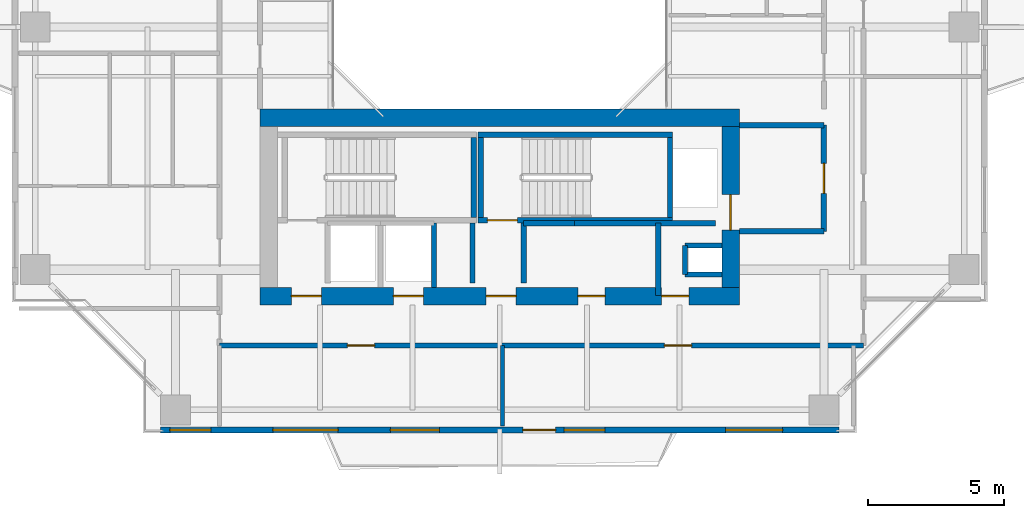
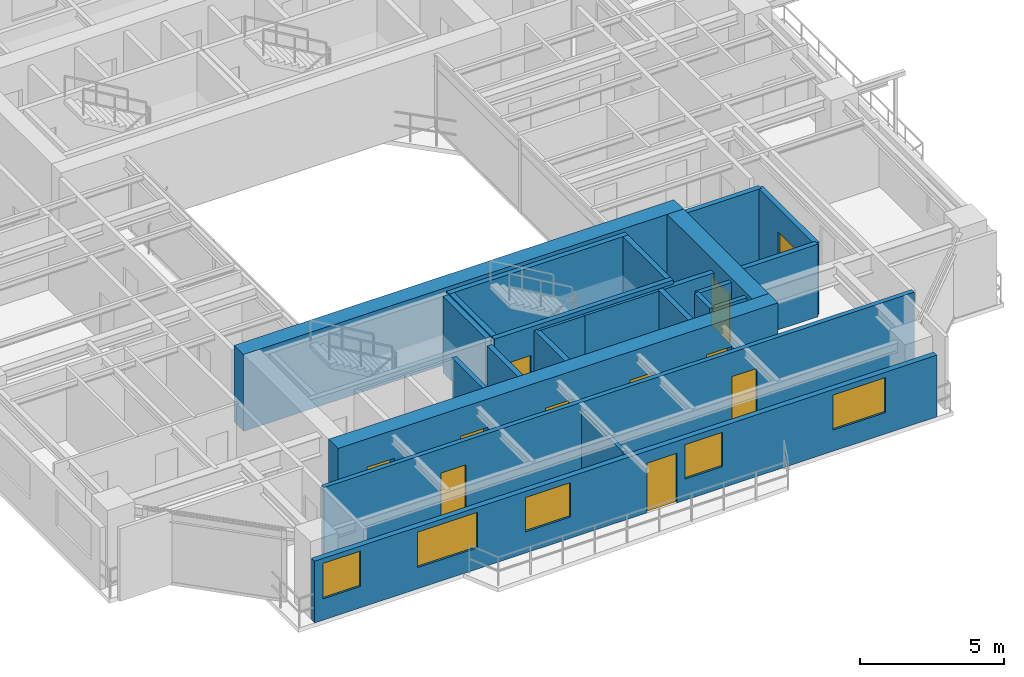
# One storey, part 10 of 17: 23 walls, 11 doors, 5 windows, 16 openings.
"""IFC4 building model written with IfcOpenShell, lengths in metres."""

from ifc_helpers import new_model, si_unit, direction, frame, frame_2d, origin, place, context, subcontext, project, spatial, rectangle, extrude, source, transform, mapped, material, layer, layer_set, type_object, element, fill, save


model = new_model("IFC4")

# Units and contexts
model_context = context("Model", 3, precision=1e-05, world=origin(), true_north=direction((0.0, 1.0)))
body_context = subcontext(model_context, "Body", "Model", "MODEL_VIEW")
ifc_project = project(units=[si_unit("LENGTHUNIT", "METRE"), si_unit("AREAUNIT", "SQUARE_METRE"), si_unit("VOLUMEUNIT", "CUBIC_METRE"), si_unit("PLANEANGLEUNIT", "RADIAN"), si_unit("MASSUNIT", "GRAM", prefix="KILO"), si_unit("THERMODYNAMICTEMPERATUREUNIT", "KELVIN"), si_unit("POWERUNIT", "WATT")], contexts=[model_context])

# Site, building, storey
site_placement = place(None, origin())
site = spatial("IfcSite", under=ifc_project, at=site_placement, CompositionType="ELEMENT")
building_placement = place(site_placement, origin())
building = spatial("IfcBuilding", under=site, at=building_placement, Name="Qiaomeng Ring Towers", CompositionType="ELEMENT")
storey_placement = place(building_placement, frame((0.0, 0.0, 126.25)))
storey = spatial("IfcBuildingStorey", under=building, at=storey_placement, Name="L36", CompositionType="ELEMENT", Elevation=126.25)

# Wall, openings, windows, door
ifc_material_1 = material(Name="Precast concrete C40", Category="concrete")
ifc_layer_1 = layer(ifc_material_1, 0.219970703125, Name="Precast concrete C40")
ifc_layer_set_1 = layer_set([ifc_layer_1], Name="Precast concrete C40")
wall_type_1 = type_object("IfcWallType", Name="ARC-WL-EW2", PredefinedType="STANDARD", material=ifc_layer_set_1)
wall_1_placement = place(storey_placement, frame((6.550048828125, 5.2099609375, 0.0), z_axis=(0.0, 0.0, 1.0), x_axis=(1.0, 0.0, 0.0)))
wall_1 = element("IfcWall", 1, at=wall_1_placement, inside=storey, type_object=wall_type_1, Name="L36 Tower 1 S Exterior Wall", PredefinedType="STANDARD", context=body_context, shape_type="SweptSolid", body=[
    extrude(rectangle(XDim=24.89990234375, YDim=0.219970703125, at=frame_2d((12.449951171875, 0.0))), origin(), (0.0, 0.0, 1.0), 2.610107421875),
])
opening_1_placement = place(wall_1_placement, frame((13.300048828125, 0.0, 0.0)))
opening_1 = element("IfcOpeningElement", 2, at=opening_1_placement, cuts=wall_1, Name="Opening BD1", PredefinedType="OPENING", context=body_context, shape_type="SweptSolid", body=[
    extrude(rectangle(XDim=1.199951171875, YDim=2.10009765625, at=frame_2d((0.60009765625, 1.050048828125))), frame((0.0, 0.119873046875, 0.0), z_axis=(0.0, -1.0, 0.0), x_axis=(1.0, 0.0, 0.0)), (0.0, 0.0, 1.0), 0.239990234375),
])
opening_2_placement = place(wall_1_placement, frame((0.342529296875, 0.0, 0.89990234375)))
opening_2 = element("IfcOpeningElement", 3, at=opening_2_placement, cuts=wall_1, Name="Opening WN2", PredefinedType="OPENING", context=body_context, shape_type="SweptSolid", body=[
    extrude(rectangle(XDim=1.5, YDim=1.5, at=frame_2d((0.75, 0.75))), frame((0.0, 0.119873046875, 0.0), z_axis=(0.0, -1.0, 0.0), x_axis=(1.0, 0.0, 0.0)), (0.0, 0.0, 1.0), 0.239990234375),
])
opening_3_placement = place(wall_1_placement, frame((8.43798828125, 0.0, 0.89990234375)))
opening_3 = element("IfcOpeningElement", 4, at=opening_3_placement, cuts=wall_1, Name="Opening WN1", PredefinedType="OPENING", context=body_context, shape_type="SweptSolid", body=[
    extrude(rectangle(XDim=1.800048828125, YDim=1.449951171875, at=frame_2d((0.89990234375, 0.72509765625))), frame((0.0, 0.119873046875, 0.0), z_axis=(0.0, -1.0, 0.0), x_axis=(1.0, 0.0, 0.0)), (0.0, 0.0, 1.0), 0.239990234375),
])
opening_4_placement = place(wall_1_placement, frame((14.81298828125, 0.0, 0.89990234375)))
opening_4 = element("IfcOpeningElement", 5, at=opening_4_placement, cuts=wall_1, Name="Opening WN2", PredefinedType="OPENING", context=body_context, shape_type="SweptSolid", body=[
    extrude(rectangle(XDim=1.5, YDim=1.449951171875, at=frame_2d((0.75, 0.72509765625))), frame((0.0, 0.119873046875, 0.0), z_axis=(0.0, -1.0, 0.0), x_axis=(1.0, 0.0, 0.0)), (0.0, 0.0, 1.0), 0.239990234375),
])
opening_5_placement = place(wall_1_placement, frame((20.738037109375, 0.0, 0.89990234375)))
opening_5 = element("IfcOpeningElement", 6, at=opening_5_placement, cuts=wall_1, Name="Opening WN4", PredefinedType="OPENING", context=body_context, shape_type="SweptSolid", body=[
    extrude(rectangle(XDim=2.10009765625, YDim=1.47998046875, at=frame_2d((1.050048828125, 0.739990234375))), frame((0.0, 0.119873046875, 0.0), z_axis=(0.0, -1.0, 0.0), x_axis=(1.0, 0.0, 0.0)), (0.0, 0.0, 1.0), 0.239990234375),
])
opening_6_placement = place(wall_1_placement, frame((4.12158203125, 0.0, 0.89990234375)))
opening_6 = element("IfcOpeningElement", 7, at=opening_6_placement, cuts=wall_1, Name="Opening WN6", PredefinedType="OPENING", context=body_context, shape_type="SweptSolid", body=[
    extrude(rectangle(XDim=2.39990234375, YDim=1.5, at=frame_2d((1.199951171875, 0.75))), frame((0.0, 0.119873046875, 0.0), z_axis=(0.0, -1.0, 0.0), x_axis=(1.0, 0.0, 0.0)), (0.0, 0.0, 1.0), 0.239990234375),
])
ifc_material_2 = material(Name="Low-E dark-grey laminated double glazing", Category="glass")
window_type_1 = type_object("IfcWindowType", Name="ARC-WN-2", PartitioningType="DOUBLE_PANEL_VERTICAL", PredefinedType="WINDOW", material=ifc_material_2)
shared_shape_1 = source(origin(), body_context, "Body", "SweptSolid", [
    extrude(rectangle(XDim=1.5, YDim=1.449951171875, at=frame_2d((0.75, 0.72509765625))), frame((0.0, 0.030029296875, 0.0), z_axis=(0.0, -1.0, 0.0), x_axis=(1.0, 0.0, 0.0)), (0.0, 0.0, 1.0), 0.06005859375),
])
window_1_placement = place(opening_4_placement, origin())
window_1 = element("IfcWindow", 8, at=window_1_placement, inside=storey, type_object=window_type_1, Name="L36 Exterior Window WN2", OverallHeight=1.449951171875, OverallWidth=1.5, PartitioningType="DOUBLE_PANEL_VERTICAL", PredefinedType="WINDOW", context=body_context, shape_type="MappedRepresentation", body=[
    mapped(shared_shape_1, transform((0.0, 0.0, 0.0), x_axis=(1.0, 0.0, 0.0), y_axis=(0.0, 1.0, 0.0), z_axis=(0.0, 0.0, 1.0), scale=1.0)),
])
fill(opening_4, window_1)
window_type_2 = type_object("IfcWindowType", Name="ARC-WN-4", PartitioningType="TRIPLE_PANEL_VERTICAL", PredefinedType="WINDOW", material=ifc_material_2)
shared_shape_2 = source(origin(), body_context, "Body", "SweptSolid", [
    extrude(rectangle(XDim=2.10009765625, YDim=1.47998046875, at=frame_2d((1.050048828125, 0.739990234375))), frame((0.0, 0.030029296875, 0.0), z_axis=(0.0, -1.0, 0.0), x_axis=(1.0, 0.0, 0.0)), (0.0, 0.0, 1.0), 0.06005859375),
])
window_2_placement = place(opening_5_placement, origin())
window_2 = element("IfcWindow", 9, at=window_2_placement, inside=storey, type_object=window_type_2, Name="L36 Exterior Window WN4", OverallHeight=1.47998046875, OverallWidth=2.10009765625, PartitioningType="TRIPLE_PANEL_VERTICAL", PredefinedType="WINDOW", context=body_context, shape_type="MappedRepresentation", body=[
    mapped(shared_shape_2, transform((0.0, 0.0, 0.0), x_axis=(1.0, 0.0, 0.0), y_axis=(0.0, 1.0, 0.0), z_axis=(0.0, 0.0, 1.0), scale=1.0)),
])
fill(opening_5, window_2)
window_type_3 = type_object("IfcWindowType", Name="ARC-WN-1", PartitioningType="DOUBLE_PANEL_VERTICAL", PredefinedType="WINDOW", material=ifc_material_2)
shared_shape_3 = source(origin(), body_context, "Body", "SweptSolid", [
    extrude(rectangle(XDim=1.800048828125, YDim=1.449951171875, at=frame_2d((0.89990234375, 0.72509765625))), frame((0.0, 0.030029296875, 0.0), z_axis=(0.0, -1.0, 0.0), x_axis=(1.0, 0.0, 0.0)), (0.0, 0.0, 1.0), 0.06005859375),
])
window_3_placement = place(opening_3_placement, origin())
window_3 = element("IfcWindow", 10, at=window_3_placement, inside=storey, type_object=window_type_3, Name="L36 Exterior Window WN1", OverallHeight=1.449951171875, OverallWidth=1.800048828125, PartitioningType="DOUBLE_PANEL_VERTICAL", PredefinedType="WINDOW", context=body_context, shape_type="MappedRepresentation", body=[
    mapped(shared_shape_3, transform((0.0, 0.0, 0.0), x_axis=(1.0, 0.0, 0.0), y_axis=(0.0, 1.0, 0.0), z_axis=(0.0, 0.0, 1.0), scale=1.0)),
])
fill(opening_3, window_3)
door_type_1 = type_object("IfcDoorType", Name="ARC-DR-BD1", OperationType="NOTDEFINED", PredefinedType="DOOR", material=ifc_material_2)
shared_shape_4 = source(origin(), body_context, "Body", "SweptSolid", [
    extrude(rectangle(XDim=1.199951171875, YDim=2.10009765625, at=frame_2d((0.60009765625, 1.050048828125))), frame((0.0, 0.02490234375, 0.0), z_axis=(0.0, -1.0, 0.0), x_axis=(1.0, 0.0, 0.0)), (0.0, 0.0, 1.0), 0.050048828125),
])
door_1_placement = place(opening_1_placement, frame((1.199951171875, 0.0, 0.0), z_axis=(0.0, 0.0, 1.0), x_axis=(-1.0, 0.0, 0.0)))
door_1 = element("IfcDoor", 11, at=door_1_placement, inside=storey, type_object=door_type_1, Name="L36 S Balcony Glazed Door", OperationType="SINGLE_SWING_LEFT", OverallHeight=2.10009765625, OverallWidth=1.199951171875, PredefinedType="DOOR", context=body_context, shape_type="MappedRepresentation", body=[
    mapped(shared_shape_4, transform((0.0, 0.0, 0.0), x_axis=(1.0, 0.0, 0.0), y_axis=(0.0, 1.0, 0.0), z_axis=(0.0, 0.0, 1.0), scale=1.0)),
])
fill(opening_1, door_1)
shared_shape_5 = source(origin(), body_context, "Body", "SweptSolid", [
    extrude(rectangle(XDim=1.5, YDim=1.5, at=frame_2d((0.75, 0.75))), frame((0.0, 0.030029296875, 0.0), z_axis=(0.0, -1.0, 0.0), x_axis=(1.0, 0.0, 0.0)), (0.0, 0.0, 1.0), 0.06005859375),
])
window_4_placement = place(opening_2_placement, origin())
window_4 = element("IfcWindow", 12, at=window_4_placement, inside=storey, type_object=window_type_1, Name="L36 Exterior Window WN6", OverallHeight=1.5, OverallWidth=1.5, PartitioningType="TRIPLE_PANEL_VERTICAL", PredefinedType="WINDOW", context=body_context, shape_type="MappedRepresentation", body=[
    mapped(shared_shape_5, transform((0.0, 0.0, 0.0), x_axis=(1.0, 0.0, 0.0), y_axis=(0.0, 1.0, 0.0), z_axis=(0.0, 0.0, 1.0), scale=1.0)),
])
fill(opening_2, window_4)
window_type_4 = type_object("IfcWindowType", Name="ARC-WN-6", PartitioningType="TRIPLE_PANEL_VERTICAL", PredefinedType="WINDOW", material=ifc_material_2)
shared_shape_6 = source(origin(), body_context, "Body", "SweptSolid", [
    extrude(rectangle(XDim=2.39990234375, YDim=1.5, at=frame_2d((1.199951171875, 0.75))), frame((0.0, 0.030029296875, 0.0), z_axis=(0.0, -1.0, 0.0), x_axis=(1.0, 0.0, 0.0)), (0.0, 0.0, 1.0), 0.06005859375),
])
window_5_placement = place(opening_6_placement, origin())
window_5 = element("IfcWindow", 13, at=window_5_placement, inside=storey, type_object=window_type_4, Name="L36 Exterior Window WN6", OverallHeight=1.5, OverallWidth=2.39990234375, PartitioningType="TRIPLE_PANEL_VERTICAL", PredefinedType="WINDOW", context=body_context, shape_type="MappedRepresentation", body=[
    mapped(shared_shape_6, transform((0.0, 0.0, 0.0), x_axis=(1.0, 0.0, 0.0), y_axis=(0.0, 1.0, 0.0), z_axis=(0.0, 0.0, 1.0), scale=1.0)),
])
fill(opening_6, window_5)

# Walls
ifc_material_3 = material(Name="Autoclaved aerated concrete block", Category="concrete")
ifc_layer_2 = layer(ifc_material_3, 0.199951171875, Name="Autoclaved aerated concrete block")
ifc_layer_set_2 = layer_set([ifc_layer_2], Name="Autoclaved aerated concrete block")
wall_type_2 = type_object("IfcWallType", Name="ARC-WL-PW1", PredefinedType="PARTITIONING", material=ifc_layer_set_2)
for number, where, z_axis, x_axis, name in (
    (14, (27.800048828125, 16.39990234375, 0.0), (0.0, 0.0, 1.0), (1.0, 0.0, 0.0), "L36 Interior Wall PW1"),
    (15, (27.800048828125, 12.5, 0.0), (0.0, 0.0, 1.0), (1.0, 0.0, 0.0), "L36 Interior Wall PW1"),
):
    element("IfcWall", number, at=place(storey_placement, frame(where, z_axis=z_axis, x_axis=x_axis)), inside=storey, type_object=wall_type_2, Name=name, PredefinedType="PARTITIONING", context=body_context, shape_type="SweptSolid", body=[
        extrude(rectangle(XDim=3.099853515625, YDim=0.199951171875, at=frame_2d((1.5498046875, 0.0))), origin(), (0.0, 0.0, 1.0), 3.070068359375),
    ])

# Wall, opening, door
wall_2_placement = place(storey_placement, frame((30.89990234375, 12.5, 0.0), z_axis=(0.0, 0.0, 1.0), x_axis=(0.0, 1.0, 0.0)))
wall_2 = element("IfcWall", 16, at=wall_2_placement, inside=storey, type_object=wall_type_2, Name="L36 Interior Wall PW1", PredefinedType="PARTITIONING", context=body_context, shape_type="SweptSolid", body=[
    extrude(rectangle(XDim=3.89990234375, YDim=0.199951171875, at=frame_2d((1.949951171875, 0.0))), origin(), (0.0, 0.0, 1.0), 3.070068359375),
])
opening_7_placement = place(wall_2_placement, frame((1.39990234375, 0.0, 0.0)))
opening_7 = element("IfcOpeningElement", 17, at=opening_7_placement, cuts=wall_2, Name="Opening FD3", PredefinedType="OPENING", context=body_context, shape_type="SweptSolid", body=[
    extrude(rectangle(XDim=1.10009765625, YDim=2.050048828125, at=frame_2d((0.550048828125, 1.02490234375))), frame((0.0, 0.10986328125, 0.0), z_axis=(0.0, -1.0, 0.0), x_axis=(1.0, 0.0, 0.0)), (0.0, 0.0, 1.0), 0.219970703125),
])
ifc_material_4 = material(Name="Galvanised steel", Category="steel")
door_type_2 = type_object("IfcDoorType", Name="ARC-DR-FD3", OperationType="NOTDEFINED", PredefinedType="DOOR", material=ifc_material_4)
shared_shape_7 = source(origin(), body_context, "Body", "SweptSolid", [
    extrude(rectangle(XDim=1.10009765625, YDim=2.050048828125, at=frame_2d((0.550048828125, 1.02490234375))), frame((0.0, 0.02490234375, 0.0), z_axis=(0.0, -1.0, 0.0), x_axis=(1.0, 0.0, 0.0)), (0.0, 0.0, 1.0), 0.050048828125),
])
door_2_placement = place(opening_7_placement, origin())
door_2 = element("IfcDoor", 18, at=door_2_placement, inside=storey, type_object=door_type_2, Name="L36 South FF Lobby Door", OperationType="SINGLE_SWING_LEFT", OverallHeight=2.050048828125, OverallWidth=1.10009765625, PredefinedType="DOOR", context=body_context, shape_type="MappedRepresentation", body=[
    mapped(shared_shape_7, transform((0.0, 0.0, 0.0), x_axis=(1.0, 0.0, 0.0), y_axis=(0.0, 1.0, 0.0), z_axis=(0.0, 0.0, 1.0), scale=1.0)),
])
fill(opening_7, door_2)

# Walls
for number, where, z_axis, x_axis, name in (
    (19, (18.0, 10.60009765625, 0.0), (0.0, 0.0, 1.0), (0.0, 1.0, 0.0), "L36 Interior Wall PW1"),
    (20, (19.8798828125, 10.60009765625, 0.0), (0.0, 0.0, 1.0), (0.0, 1.0, 0.0), "L36 Interior Wall PW1"),
):
    element("IfcWall", number, at=place(storey_placement, frame(where, z_axis=z_axis, x_axis=x_axis)), inside=storey, type_object=wall_type_2, Name=name, PredefinedType="PARTITIONING", context=body_context, shape_type="SweptSolid", body=[
        extrude(rectangle(XDim=2.2099609375, YDim=0.199951171875, at=frame_2d((1.10498046875, 0.0))), origin(), (0.0, 0.0, 1.0), 3.070068359375),
    ])
wall_3_placement = place(storey_placement, frame((24.820068359375, 10.14990234375, 0.0), z_axis=(0.0, 0.0, 1.0), x_axis=(0.0, 1.0, 0.0)))
element("IfcWall", 21, at=wall_3_placement, inside=storey, type_object=wall_type_2, Name="L36 Interior Wall PW1", PredefinedType="PARTITIONING", context=body_context, shape_type="SweptSolid", body=[
    extrude(rectangle(XDim=2.650146484375, YDim=0.199951171875, at=frame_2d((1.3251953125, 0.0))), origin(), (0.0, 0.0, 1.0), 3.070068359375),
])
wall_4_placement = place(storey_placement, frame((19.8798828125, 12.800048828125, 0.0), z_axis=(0.0, 0.0, 1.0), x_axis=(1.0, 0.0, 0.0)))
element("IfcWall", 22, at=wall_4_placement, inside=storey, type_object=wall_type_2, Name="L36 Interior Wall PW1", PredefinedType="PARTITIONING", context=body_context, shape_type="SweptSolid", body=[
    extrude(rectangle(XDim=1.8701171875, YDim=0.199951171875, at=frame_2d((0.93505859375, 0.0))), origin(), (0.0, 0.0, 1.0), 3.070068359375),
])
wall_5_placement = place(storey_placement, frame((21.75, 12.800048828125, 0.0), z_axis=(0.0, 0.0, 1.0), x_axis=(1.0, 0.0, 0.0)))
element("IfcWall", 23, at=wall_5_placement, inside=storey, type_object=wall_type_2, Name="L36 Interior Wall PW1", PredefinedType="PARTITIONING", context=body_context, shape_type="SweptSolid", body=[
    extrude(rectangle(XDim=5.169921875, YDim=0.199951171875, at=frame_2d((2.5849609375, 0.0))), origin(), (0.0, 0.0, 1.0), 3.070068359375),
])

# Wall, openings, doors
ifc_layer_3 = layer(ifc_material_3, 0.179931640625, Name="Autoclaved aerated concrete block")
ifc_layer_set_3 = layer_set([ifc_layer_3], Name="Autoclaved aerated concrete block")
wall_type_3 = type_object("IfcWallType", Name="ARC-WL-PW2", PredefinedType="PARTITIONING", material=ifc_layer_set_3)
wall_6_placement = place(storey_placement, frame((8.719970703125, 8.31005859375, 0.0), z_axis=(0.0, 0.0, 1.0), x_axis=(1.0, 0.0, 0.0)))
wall_6 = element("IfcWall", 24, at=wall_6_placement, inside=storey, type_object=wall_type_3, Name="L36 Interior Wall PW2", PredefinedType="PARTITIONING", context=body_context, shape_type="SweptSolid", body=[
    extrude(rectangle(XDim=23.630126953125, YDim=0.179931640625, at=frame_2d((11.81494140625, 0.0))), origin(), (0.0, 0.0, 1.0), 3.070068359375),
])
opening_8_placement = place(wall_6_placement, frame((4.68994140625, 0.0, 0.0)))
opening_8 = element("IfcOpeningElement", 25, at=opening_8_placement, cuts=wall_6, Name="Opening FD4", PredefinedType="OPENING", context=body_context, shape_type="SweptSolid", body=[
    extrude(rectangle(XDim=1.0, YDim=2.050048828125, at=frame_2d((0.5, 1.02490234375))), frame((0.0, 0.099853515625, 0.0), z_axis=(0.0, -1.0, 0.0), x_axis=(1.0, 0.0, 0.0)), (0.0, 0.0, 1.0), 0.199951171875),
])
opening_9_placement = place(wall_6_placement, frame((16.320068359375, 0.0, 0.0)))
opening_9 = element("IfcOpeningElement", 26, at=opening_9_placement, cuts=wall_6, Name="Opening FD4", PredefinedType="OPENING", context=body_context, shape_type="SweptSolid", body=[
    extrude(rectangle(XDim=1.0, YDim=2.050048828125, at=frame_2d((0.5, 1.02490234375))), frame((0.0, 0.099853515625, 0.0), z_axis=(0.0, -1.0, 0.0), x_axis=(1.0, 0.0, 0.0)), (0.0, 0.0, 1.0), 0.199951171875),
])
ifc_material_5 = material(Name="Engineered fire-rated oak timber", Category="wood")
door_type_3 = type_object("IfcDoorType", Name="ARC-DR-FD4", OperationType="NOTDEFINED", PredefinedType="DOOR", material=ifc_material_5)
shared_shape_8 = source(origin(), body_context, "Body", "SweptSolid", [
    extrude(rectangle(XDim=1.0, YDim=2.050048828125, at=frame_2d((0.5, 1.02490234375))), frame((0.0, 0.02490234375, 0.0), z_axis=(0.0, -1.0, 0.0), x_axis=(1.0, 0.0, 0.0)), (0.0, 0.0, 1.0), 0.050048828125),
])
door_3_placement = place(opening_8_placement, origin())
door_3 = element("IfcDoor", 27, at=door_3_placement, inside=storey, type_object=door_type_3, Name="L36 Door FD4", OperationType="SINGLE_SWING_LEFT", OverallHeight=2.050048828125, OverallWidth=1.0, PredefinedType="DOOR", context=body_context, shape_type="MappedRepresentation", body=[
    mapped(shared_shape_8, transform((0.0, 0.0, 0.0), x_axis=(1.0, 0.0, 0.0), y_axis=(0.0, 1.0, 0.0), z_axis=(0.0, 0.0, 1.0), scale=1.0)),
])
fill(opening_8, door_3)
door_4_placement = place(opening_9_placement, origin())
door_4 = element("IfcDoor", 28, at=door_4_placement, inside=storey, type_object=door_type_3, Name="L36 Door FD4", OperationType="SINGLE_SWING_RIGHT", OverallHeight=2.050048828125, OverallWidth=1.0, PredefinedType="DOOR", context=body_context, shape_type="MappedRepresentation", body=[
    mapped(shared_shape_8, transform((0.0, 0.0, 0.0), x_axis=(1.0, 0.0, 0.0), y_axis=(0.0, 1.0, 0.0), z_axis=(0.0, 0.0, 1.0), scale=1.0)),
])
fill(opening_9, door_4)

# Walls
ifc_material_6 = material(Name="Gypsum fireboard steel-stud partition", Category="steel")
ifc_layer_4 = layer(ifc_material_6, 0.14990234375, Name="Gypsum fireboard steel-stud partition")
ifc_layer_set_4 = layer_set([ifc_layer_4], Name="Gypsum fireboard steel-stud partition")
wall_type_4 = type_object("IfcWallType", Name="ARC-WL-PW3", PredefinedType="PARTITIONING", material=ifc_layer_set_4)
wall_7_placement = place(storey_placement, frame((19.10009765625, 5.35009765625, 0.0), z_axis=(0.0, 0.0, 1.0), x_axis=(0.0, 1.0, 0.0)))
element("IfcWall", 29, at=wall_7_placement, inside=storey, type_object=wall_type_4, Name="L36 Interior Wall PW3", PredefinedType="PARTITIONING", context=body_context, shape_type="SweptSolid", body=[
    extrude(rectangle(XDim=2.9599609375, YDim=0.14990234375, at=frame_2d((1.47998046875, 0.0))), origin(), (0.0, 0.0, 1.0), 2.715087890625),
])
ifc_material_7 = material(Name="Concrete C40", Category="concrete")
ifc_layer_5 = layer(ifc_material_7, 0.199951171875, Name="Concrete C40")
ifc_layer_set_5 = layer_set([ifc_layer_5], Name="Concrete C40")
wall_type_5 = type_object("IfcWallType", Name="STR-WL-STSHAFT", PredefinedType="SHEAR", material=ifc_layer_set_5)
wall_8_placement = place(storey_placement, frame((25.800048828125, 10.919921875, 0.0), z_axis=(0.0, 0.0, 1.0), x_axis=(0.0, 1.0, 0.0)))
element("IfcWall", 30, at=wall_8_placement, inside=storey, type_object=wall_type_5, Name="L36 Riser RSR1 West Shaft Wall S", PredefinedType="SHEAR", context=body_context, shape_type="SweptSolid", body=[
    extrude(rectangle(XDim=1.06005859375, YDim=0.179931640625, at=frame_2d((0.530029296875, 0.0))), origin(), (0.0, 0.0, 1.0), 3.070068359375),
])
for number, where, z_axis, x_axis, name in (
    (31, (25.800048828125, 11.97998046875, 0.0), (0.0, 0.0, 1.0), (1.0, 0.0, 0.0), "L36 Riser RSR1 North Shaft Wall S"),
    (32, (25.800048828125, 10.919921875, 0.0), (0.0, 0.0, 1.0), (1.0, 0.0, 0.0), "L36 Riser RSR1 South Shaft Wall S"),
):
    element("IfcWall", number, at=place(storey_placement, frame(where, z_axis=z_axis, x_axis=x_axis)), inside=storey, type_object=wall_type_5, Name=name, PredefinedType="SHEAR", context=body_context, shape_type="SweptSolid", body=[
        extrude(rectangle(XDim=1.349853515625, YDim=0.179931640625, at=frame_2d((0.6748046875, 0.0))), origin(), (0.0, 0.0, 1.0), 3.070068359375),
    ])
wall_9_placement = place(storey_placement, frame((16.580078125, 10.449951171875, 0.0), z_axis=(0.0, 0.0, 1.0), x_axis=(0.0, 1.0, 0.0)))
element("IfcWall", 33, at=wall_9_placement, inside=storey, type_object=wall_type_5, Name="L36 Lift LP4 East Shaft Wall", PredefinedType="SHEAR", context=body_context, shape_type="SweptSolid", body=[
    extrude(rectangle(XDim=2.35009765625, YDim=0.179931640625, at=frame_2d((1.175048828125, 0.0))), origin(), (0.0, 0.0, 1.0), 3.070068359375),
])
wall_10_placement = place(storey_placement, frame((18.050048828125, 13.010009765625, 0.0), z_axis=(0.0, 0.0, 1.0), x_axis=(0.0, 1.0, 0.0)))
element("IfcWall", 34, at=wall_10_placement, inside=storey, type_object=wall_type_5, Name="L36 Stair ST3 East Shaft Shear Wall", PredefinedType="SHEAR", context=body_context, shape_type="SweptSolid", body=[
    extrude(rectangle(XDim=2.93994140625, YDim=0.199951171875, at=frame_2d((1.469970703125, 0.0))), origin(), (0.0, 0.0, 1.0), 3.25),
])

# Wall, opening, door
wall_11_placement = place(storey_placement, frame((18.199951171875, 12.909912109375, 0.0), z_axis=(0.0, 0.0, 1.0), x_axis=(1.0, 0.0, 0.0)))
wall_11 = element("IfcWall", 35, at=wall_11_placement, inside=storey, type_object=wall_type_5, Name="L36 Stair ST4 South Shaft Shear Wall", PredefinedType="SHEAR", context=body_context, shape_type="SweptSolid", body=[
    extrude(rectangle(XDim=7.150146484375, YDim=0.199951171875, at=frame_2d((3.5751953125, 0.0))), origin(), (0.0, 0.0, 1.0), 3.25),
])
opening_10_placement = place(wall_11_placement, frame((0.35009765625, 0.0, 0.0)))
opening_10 = element("IfcOpeningElement", 36, at=opening_10_placement, cuts=wall_11, Name="Opening FD3", PredefinedType="OPENING", context=body_context, shape_type="SweptSolid", body=[
    extrude(rectangle(XDim=1.10009765625, YDim=2.050048828125, at=frame_2d((0.550048828125, 1.02490234375))), frame((0.0, 0.10986328125, 0.0), z_axis=(0.0, -1.0, 0.0), x_axis=(1.0, 0.0, 0.0)), (0.0, 0.0, 1.0), 0.219970703125),
])
door_5_placement = place(opening_10_placement, frame((1.10009765625, 0.0, 0.0), z_axis=(0.0, 0.0, 1.0), x_axis=(-1.0, 0.0, 0.0)))
door_5 = element("IfcDoor", 37, at=door_5_placement, inside=storey, type_object=door_type_2, Name="L36 Stair ST4 Exit Door", OperationType="SINGLE_SWING_LEFT", OverallHeight=2.050048828125, OverallWidth=1.10009765625, PredefinedType="DOOR", context=body_context, shape_type="MappedRepresentation", body=[
    mapped(shared_shape_7, transform((0.0, 0.0, 0.0), x_axis=(1.0, 0.0, 0.0), y_axis=(0.0, 1.0, 0.0), z_axis=(0.0, 0.0, 1.0), scale=1.0)),
])
fill(opening_10, door_5)

# Walls
wall_12_placement = place(storey_placement, frame((18.199951171875, 16.050048828125, 0.0), z_axis=(0.0, 0.0, 1.0), x_axis=(1.0, 0.0, 0.0)))
element("IfcWall", 38, at=wall_12_placement, inside=storey, type_object=wall_type_5, Name="L36 Stair ST4 North Shaft Shear Wall", PredefinedType="SHEAR", context=body_context, shape_type="SweptSolid", body=[
    extrude(rectangle(XDim=7.150146484375, YDim=0.199951171875, at=frame_2d((3.5751953125, 0.0))), origin(), (0.0, 0.0, 1.0), 3.25),
])
for number, where, z_axis, x_axis, name in (
    (39, (18.300048828125, 13.010009765625, 0.0), (0.0, 0.0, 1.0), (0.0, 1.0, 0.0), "L36 Stair ST4 West Shaft Shear Wall"),
    (40, (25.25, 13.010009765625, 0.0), (0.0, 0.0, 1.0), (0.0, 1.0, 0.0), "L36 Stair ST4 East Shaft Shear Wall"),
):
    element("IfcWall", number, at=place(storey_placement, frame(where, z_axis=z_axis, x_axis=x_axis)), inside=storey, type_object=wall_type_5, Name=name, PredefinedType="SHEAR", context=body_context, shape_type="SweptSolid", body=[
        extrude(rectangle(XDim=2.93994140625, YDim=0.199951171875, at=frame_2d((1.469970703125, 0.0))), origin(), (0.0, 0.0, 1.0), 3.25),
    ])

# Wall, openings, doors
ifc_material_8 = material(Name="Concrete C55", Category="concrete")
ifc_layer_6 = layer(ifc_material_8, 0.64990234375, Name="Concrete C55")
ifc_layer_set_6 = layer_set([ifc_layer_6], Name="Concrete C55")
wall_type_6 = type_object("IfcWallType", Name="STR-WL-SW2A", PredefinedType="SHEAR", material=ifc_layer_set_6)
wall_13_placement = place(storey_placement, frame((10.199951171875, 10.125, 0.0), z_axis=(0.0, 0.0, 1.0), x_axis=(1.0, 0.0, 0.0)))
wall_13 = element("IfcWall", 41, at=wall_13_placement, inside=storey, type_object=wall_type_6, Name="L36 T1SC south core shear wall", PredefinedType="SHEAR", context=body_context, shape_type="SweptSolid", body=[
    extrude(rectangle(XDim=17.60009765625, YDim=0.64990234375, at=frame_2d((8.800048828125, 0.0))), origin(), (0.0, 0.0, 1.0), 3.25),
])
opening_11_placement = place(wall_13_placement, frame((1.14990234375, 0.0, 0.0)))
opening_11 = element("IfcOpeningElement", 42, at=opening_11_placement, cuts=wall_13, Name="Opening FD3", PredefinedType="OPENING", context=body_context, shape_type="SweptSolid", body=[
    extrude(rectangle(XDim=1.10009765625, YDim=2.050048828125, at=frame_2d((0.550048828125, 1.02490234375))), frame((0.0, 0.3349609375, 0.0), z_axis=(0.0, -1.0, 0.0), x_axis=(1.0, 0.0, 0.0)), (0.0, 0.0, 1.0), 0.669921875),
])
opening_12_placement = place(wall_13_placement, frame((8.300048828125, 0.0, 0.0)))
opening_12 = element("IfcOpeningElement", 43, at=opening_12_placement, cuts=wall_13, Name="Opening FD3", PredefinedType="OPENING", context=body_context, shape_type="SweptSolid", body=[
    extrude(rectangle(XDim=1.10009765625, YDim=2.050048828125, at=frame_2d((0.550048828125, 1.02490234375))), frame((0.0, 0.3349609375, 0.0), z_axis=(0.0, -1.0, 0.0), x_axis=(1.0, 0.0, 0.0)), (0.0, 0.0, 1.0), 0.669921875),
])
opening_13_placement = place(wall_13_placement, frame((4.89990234375, 0.0, 0.0)))
opening_13 = element("IfcOpeningElement", 44, at=opening_13_placement, cuts=wall_13, Name="Opening LD1", PredefinedType="OPENING", context=body_context, shape_type="SweptSolid", body=[
    extrude(rectangle(XDim=1.10009765625, YDim=2.050048828125, at=frame_2d((0.550048828125, 1.02490234375))), frame((0.0, 0.3349609375, 0.0), z_axis=(0.0, -1.0, 0.0), x_axis=(1.0, 0.0, 0.0)), (0.0, 0.0, 1.0), 0.669921875),
])
opening_14_placement = place(wall_13_placement, frame((14.739990234375, 0.0, 0.0)))
opening_14 = element("IfcOpeningElement", 45, at=opening_14_placement, cuts=wall_13, Name="Opening FD1", PredefinedType="OPENING", context=body_context, shape_type="SweptSolid", body=[
    extrude(rectangle(XDim=1.0, YDim=2.050048828125, at=frame_2d((0.5, 1.02490234375))), frame((0.0, 0.3349609375, 0.0), z_axis=(0.0, -1.0, 0.0), x_axis=(1.0, 0.0, 0.0)), (0.0, 0.0, 1.0), 0.669921875),
])
opening_15_placement = place(wall_13_placement, frame((11.669921875, 0.0, 0.0)))
opening_15 = element("IfcOpeningElement", 46, at=opening_15_placement, cuts=wall_13, Name="Opening FD1", PredefinedType="OPENING", context=body_context, shape_type="SweptSolid", body=[
    extrude(rectangle(XDim=1.0, YDim=2.050048828125, at=frame_2d((0.5, 1.02490234375))), frame((0.0, 0.3349609375, 0.0), z_axis=(0.0, -1.0, 0.0), x_axis=(1.0, 0.0, 0.0)), (0.0, 0.0, 1.0), 0.669921875),
])
door_6_placement = place(opening_11_placement, origin())
door_6 = element("IfcDoor", 47, at=door_6_placement, inside=storey, type_object=door_type_2, Name="L36 Stair ST3 Lobby Door", OperationType="SINGLE_SWING_RIGHT", OverallHeight=2.050048828125, OverallWidth=1.10009765625, PredefinedType="DOOR", context=body_context, shape_type="MappedRepresentation", body=[
    mapped(shared_shape_7, transform((0.0, 0.0, 0.0), x_axis=(1.0, 0.0, 0.0), y_axis=(0.0, 1.0, 0.0), z_axis=(0.0, 0.0, 1.0), scale=1.0)),
])
fill(opening_11, door_6)
door_7_placement = place(opening_12_placement, origin())
door_7 = element("IfcDoor", 48, at=door_7_placement, inside=storey, type_object=door_type_2, Name="L36 Stair ST4 Lobby Door", OperationType="SINGLE_SWING_RIGHT", OverallHeight=2.050048828125, OverallWidth=1.10009765625, PredefinedType="DOOR", context=body_context, shape_type="MappedRepresentation", body=[
    mapped(shared_shape_7, transform((0.0, 0.0, 0.0), x_axis=(1.0, 0.0, 0.0), y_axis=(0.0, 1.0, 0.0), z_axis=(0.0, 0.0, 1.0), scale=1.0)),
])
fill(opening_12, door_7)
ifc_material_9 = material(Name="Stainless steel 316", Category="steel")
door_type_4 = type_object("IfcDoorType", Name="ARC-DR-LD1", OperationType="NOTDEFINED", PredefinedType="DOOR", material=ifc_material_9)
door_8_placement = place(opening_13_placement, origin())
door_8 = element("IfcDoor", 49, at=door_8_placement, inside=storey, type_object=door_type_4, Name="L36 Mid-Zone Lift LP4 Landing Door", OperationType="SLIDING_TO_RIGHT", OverallHeight=2.050048828125, OverallWidth=1.10009765625, PredefinedType="DOOR", context=body_context, shape_type="MappedRepresentation", body=[
    mapped(shared_shape_7, transform((0.0, 0.0, 0.0), x_axis=(1.0, 0.0, 0.0), y_axis=(0.0, 1.0, 0.0), z_axis=(0.0, 0.0, 1.0), scale=1.0)),
])
fill(opening_13, door_8)
door_type_5 = type_object("IfcDoorType", Name="ARC-DR-FD1", OperationType="NOTDEFINED", PredefinedType="DOOR", material=ifc_material_4)
door_9_placement = place(opening_14_placement, origin())
door_9 = element("IfcDoor", 50, at=door_9_placement, inside=storey, type_object=door_type_5, Name="L36 South Electrical Riser Door", OperationType="SINGLE_SWING_LEFT", OverallHeight=2.050048828125, OverallWidth=1.0, PredefinedType="DOOR", context=body_context, shape_type="MappedRepresentation", body=[
    mapped(shared_shape_8, transform((0.0, 0.0, 0.0), x_axis=(1.0, 0.0, 0.0), y_axis=(0.0, 1.0, 0.0), z_axis=(0.0, 0.0, 1.0), scale=1.0)),
])
fill(opening_14, door_9)
door_10_placement = place(opening_15_placement, origin())
door_10 = element("IfcDoor", 51, at=door_10_placement, inside=storey, type_object=door_type_5, Name="L36 South Building Management Office Door", OperationType="SINGLE_SWING_RIGHT", OverallHeight=2.050048828125, OverallWidth=1.0, PredefinedType="DOOR", context=body_context, shape_type="MappedRepresentation", body=[
    mapped(shared_shape_8, transform((0.0, 0.0, 0.0), x_axis=(1.0, 0.0, 0.0), y_axis=(0.0, 1.0, 0.0), z_axis=(0.0, 0.0, 1.0), scale=1.0)),
])
fill(opening_15, door_10)

# Wall
wall_14_placement = place(storey_placement, frame((10.199951171875, 16.675048828125, 0.0), z_axis=(0.0, 0.0, 1.0), x_axis=(1.0, 0.0, 0.0)))
element("IfcWall", 52, at=wall_14_placement, inside=storey, type_object=wall_type_6, Name="L36 T1SC north core shear wall", PredefinedType="SHEAR", context=body_context, shape_type="SweptSolid", body=[
    extrude(rectangle(XDim=17.60009765625, YDim=0.64990234375, at=frame_2d((8.800048828125, 0.0))), origin(), (0.0, 0.0, 1.0), 3.25),
])

# Wall, opening, door
wall_15_placement = place(storey_placement, frame((27.47509765625, 10.449951171875, 0.0), z_axis=(0.0, 0.0, 1.0), x_axis=(0.0, 1.0, 0.0)))
wall_15 = element("IfcWall", 53, at=wall_15_placement, inside=storey, type_object=wall_type_6, Name="L36 T1SC east core shear wall", PredefinedType="SHEAR", context=body_context, shape_type="SweptSolid", body=[
    extrude(rectangle(XDim=5.900146484375, YDim=0.64990234375, at=frame_2d((2.9501953125, 0.0))), origin(), (0.0, 0.0, 1.0), 3.25),
])
opening_16_placement = place(wall_15_placement, frame((2.10009765625, 0.0, 0.0)))
opening_16 = element("IfcOpeningElement", 54, at=opening_16_placement, cuts=wall_15, Name="Opening LD2", PredefinedType="OPENING", context=body_context, shape_type="SweptSolid", body=[
    extrude(rectangle(XDim=1.300048828125, YDim=2.050048828125, at=frame_2d((0.64990234375, 1.02490234375))), frame((0.0, 0.3349609375, 0.0), z_axis=(0.0, -1.0, 0.0), x_axis=(1.0, 0.0, 0.0)), (0.0, 0.0, 1.0), 0.669921875),
])
door_type_6 = type_object("IfcDoorType", Name="ARC-DR-LD2", OperationType="NOTDEFINED", PredefinedType="DOOR", material=ifc_material_9)
shared_shape_9 = source(origin(), body_context, "Body", "SweptSolid", [
    extrude(rectangle(XDim=1.300048828125, YDim=2.050048828125, at=frame_2d((0.64990234375, 1.02490234375))), frame((0.0, 0.02490234375, 0.0), z_axis=(0.0, -1.0, 0.0), x_axis=(1.0, 0.0, 0.0)), (0.0, 0.0, 1.0), 0.050048828125),
])
door_11_placement = place(opening_16_placement, origin())
door_11 = element("IfcDoor", 55, at=door_11_placement, inside=storey, type_object=door_type_6, Name="L36 Firefighting Lift FL2 Landing Door", OperationType="SLIDING_TO_RIGHT", OverallHeight=2.050048828125, OverallWidth=1.300048828125, PredefinedType="DOOR", context=body_context, shape_type="MappedRepresentation", body=[
    mapped(shared_shape_9, transform((0.0, 0.0, 0.0), x_axis=(1.0, 0.0, 0.0), y_axis=(0.0, 1.0, 0.0), z_axis=(0.0, 0.0, 1.0), scale=1.0)),
])
fill(opening_16, door_11)

save(model, "model.ifc")
